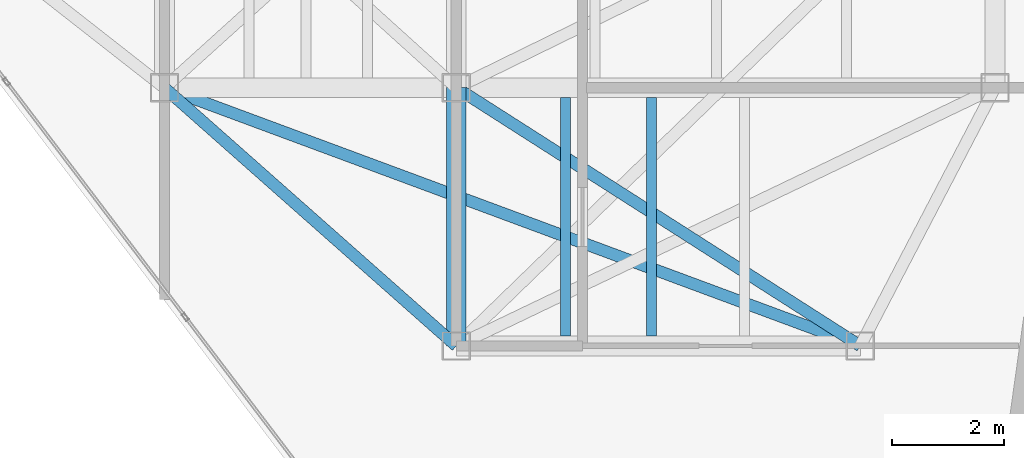
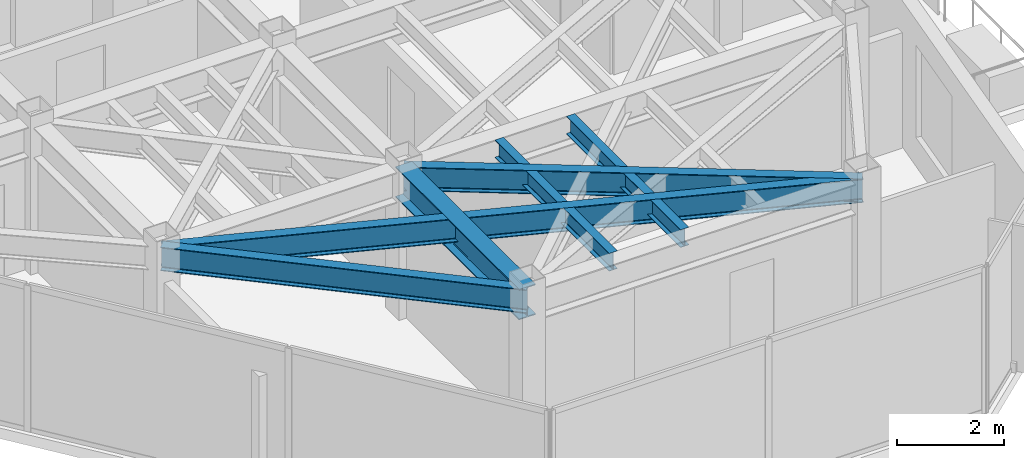
# One storey, part 8 of 19: 6 beams.
"""IFC4 building model written with IfcOpenShell, lengths in metres."""

from ifc_helpers import new_model, si_unit, direction, frame, origin, origin_2d, place, context, subcontext, project, spatial, i_section, extrude, material, material_profile, profile_set, type_object, element, save


model = new_model("IFC4")

# Units and contexts
model_context = context("Model", 3, precision=1e-05, world=origin(), true_north=direction((0.0, 1.0)))
body_context = subcontext(model_context, "Body", "Model", "MODEL_VIEW")
ifc_project = project(units=[si_unit("LENGTHUNIT", "METRE"), si_unit("AREAUNIT", "SQUARE_METRE"), si_unit("VOLUMEUNIT", "CUBIC_METRE"), si_unit("PLANEANGLEUNIT", "RADIAN"), si_unit("MASSUNIT", "GRAM", prefix="KILO")], contexts=[model_context])

# Site, building, storey
site_placement = place(None, origin())
site = spatial("IfcSite", under=ifc_project, at=site_placement, CompositionType="ELEMENT")
building_placement = place(site_placement, origin())
building = spatial("IfcBuilding", under=site, at=building_placement, Name="Kravanh Interchange Tower", CompositionType="ELEMENT")
storey_placement = place(building_placement, frame((0.0, 0.0, 274.199951171875)))
storey = spatial("IfcBuildingStorey", under=building, at=storey_placement, Name="L67", CompositionType="ELEMENT", Elevation=274.199951171875)

# Beams
ifc_material_1 = material(Name="Structural Steel S355", Category="steel")
ifc_material_profile_1 = material_profile(ifc_material_1, i_section(OverallWidth=0.35498046875, OverallDepth=0.696044921875, WebThickness=0.015380859375, FlangeThickness=0.02490234375, FilletRadius=0.02392578125, at=origin_2d()), Name="W27X146")
ifc_profile_set_1 = profile_set([ifc_material_profile_1], Name="Structural Steel S355")
beam_type_1 = type_object("IfcBeamType", Name="Floor Beam W27X146 Structural Steel S355", PredefinedType="BEAM", material=ifc_profile_set_1)
beam_1_placement = place(storey_placement, frame((56.0, 26.800048828125, 2.97216796875), z_axis=(0.0, -1.0, 0.0), x_axis=(1.0, 0.0, 0.0)))
element("IfcBeam", 1, at=beam_1_placement, inside=storey, type_object=beam_type_1, Name="L67 Primary Floor Girder 28", PredefinedType="BEAM", context=body_context, shape_type="SweptSolid", body=[
    extrude(i_section(OverallWidth=0.35498046875, OverallDepth=0.696044921875, WebThickness=0.015380859375, FlangeThickness=0.02490234375, FilletRadius=0.02392578125, at=origin_2d()), origin(), (0.0, 0.0, 1.0), 4.60009765625),
])
ifc_material_2 = material(Name="Structural Steel S355", Category="steel")
ifc_material_profile_2 = material_profile(ifc_material_2, i_section(OverallWidth=0.177978515625, OverallDepth=0.406005859375, WebThickness=0.0078125, FlangeThickness=0.0126953125, FilletRadius=0.01611328125, at=origin_2d()), Name="W16X40")
ifc_profile_set_2 = profile_set([ifc_material_profile_2], Name="Structural Steel S355")
beam_type_2 = type_object("IfcBeamType", Name="Floor Joist W16X40 Structural Steel S355", PredefinedType="JOIST", material=ifc_profile_set_2)
for number, where, z_axis, x_axis, name in (
    (2, (57.947998046875, 22.37255859375, 3.116943359375), (0.0, 1.0, 0.0), (-1.0, 0.0, 0.0), "L67 Secondary Floor Joist 1"),
    (3, (59.48193359375, 22.37255859375, 3.116943359375), (0.0, 1.0, 0.0), (-1.0, 0.0, 0.0), "L67 Secondary Floor Joist 2"),
):
    element("IfcBeam", number, at=place(storey_placement, frame(where, z_axis=z_axis, x_axis=x_axis)), inside=storey, type_object=beam_type_2, Name=name, PredefinedType="JOIST", context=body_context, shape_type="SweptSolid", body=[
        extrude(i_section(OverallWidth=0.177978515625, OverallDepth=0.406005859375, WebThickness=0.0078125, FlangeThickness=0.0126953125, FilletRadius=0.01611328125, at=origin_2d()), origin(), (0.0, 0.0, 1.0), 4.2548828125),
    ])
ifc_material_3 = material(Name="Structural Steel S355", Category="steel")
ifc_material_profile_3 = material_profile(ifc_material_3, i_section(OverallWidth=0.2099609375, OverallDepth=0.537109375, WebThickness=0.010986328125, FlangeThickness=0.017333984375, FilletRadius=0.02001953125, at=origin_2d()), Name="W21X68")
ifc_profile_set_3 = profile_set([ifc_material_profile_3], Name="Structural Steel S355")
beam_type_3 = type_object("IfcBeamType", Name="Floor Spandrel W21X68 Structural Steel S355", PredefinedType="SPANDREL", material=ifc_profile_set_3)
beam_2_placement = place(storey_placement, frame((50.800048828125, 26.800048828125, 3.051513671875), z_axis=(0.74898649432, -0.662585263439, 0.0), x_axis=(0.662585263439, 0.74898649432, 0.0)))
element("IfcBeam", 4, at=beam_2_placement, inside=storey, type_object=beam_type_3, Name="L67 Perimeter Spandrel 26", PredefinedType="SPANDREL", context=body_context, shape_type="SweptSolid", body=[
    extrude(i_section(OverallWidth=0.2099609375, OverallDepth=0.537109375, WebThickness=0.010986328125, FlangeThickness=0.017333984375, FilletRadius=0.02001953125, at=origin_2d()), origin(), (0.0, 0.0, 1.0), 6.942626953125),
])
beam_3_placement = place(storey_placement, frame((50.800048828125, 26.800048828125, 3.051513671875), z_axis=(0.937562917338, -0.347815721372, 0.0), x_axis=(0.347815721372, 0.937562917338, 0.0)))
element("IfcBeam", 5, at=beam_3_placement, inside=storey, type_object=beam_type_3, Name="L67 Perimeter Spandrel 27", PredefinedType="SPANDREL", context=body_context, shape_type="SweptSolid", body=[
    extrude(i_section(OverallWidth=0.2099609375, OverallDepth=0.537109375, WebThickness=0.010986328125, FlangeThickness=0.017333984375, FilletRadius=0.02001953125, at=origin_2d()), origin(), (0.0, 0.0, 1.0), 13.2255859375),
])
beam_4_placement = place(storey_placement, frame((56.0, 26.800048828125, 3.051513671875), z_axis=(0.842689417531, -0.53839998661, 0.0), x_axis=(0.53839998661, 0.842689417531, 0.0)))
element("IfcBeam", 6, at=beam_4_placement, inside=storey, type_object=beam_type_3, Name="L67 Perimeter Spandrel 29", PredefinedType="SPANDREL", context=body_context, shape_type="SweptSolid", body=[
    extrude(i_section(OverallWidth=0.2099609375, OverallDepth=0.537109375, WebThickness=0.010986328125, FlangeThickness=0.017333984375, FilletRadius=0.02001953125, at=origin_2d()), origin(), (0.0, 0.0, 1.0), 8.5439453125),
])

save(model, "model.ifc")
